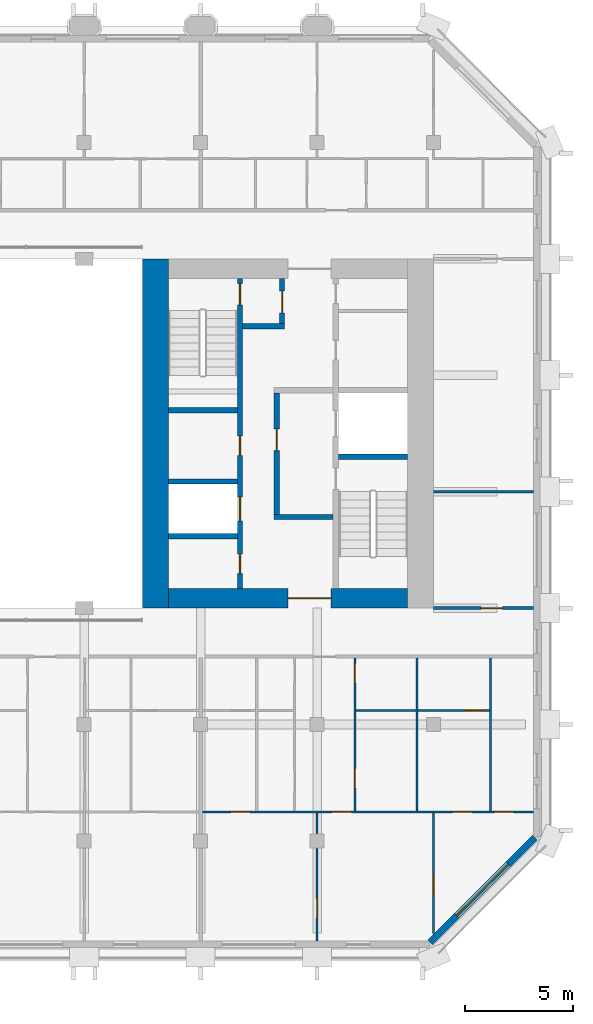
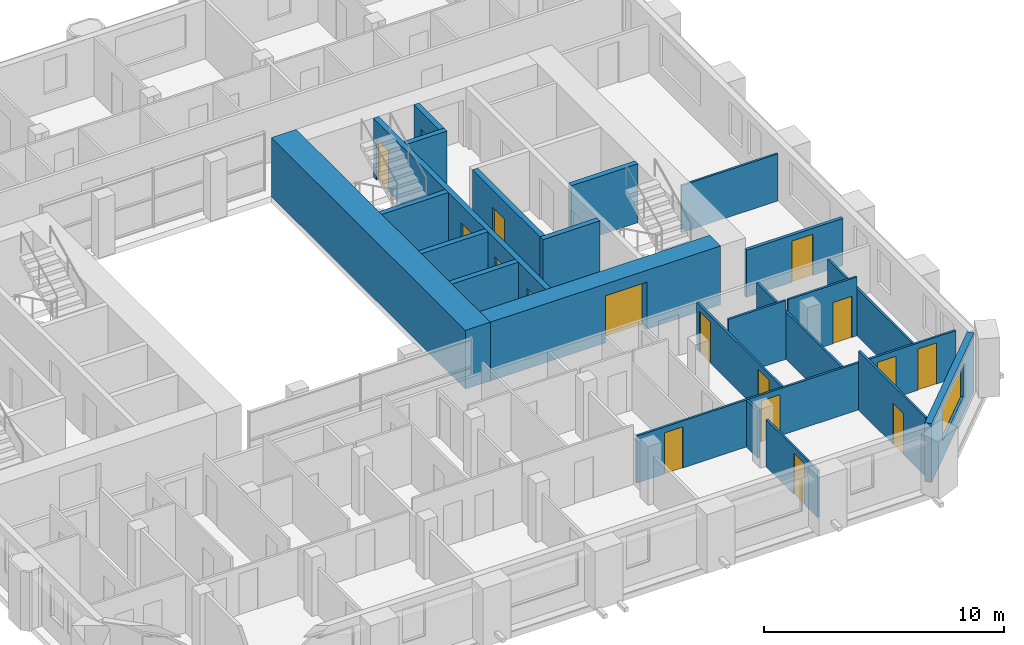
# One storey, part 8 of 13: 23 walls, 17 doors, 1 window, 18 openings.
"""IFC4 building model written with IfcOpenShell, lengths in metres."""

from ifc_helpers import new_model, si_unit, direction, frame, frame_2d, origin, place, context, subcontext, project, spatial, rectangle, extrude, material, layer, layer_set, type_object, element, fill, save


model = new_model("IFC4")

# Units and contexts
model_context = context("Model", 3, precision=1e-05, world=origin(), true_north=direction((0.0, 1.0)))
body_context = subcontext(model_context, "Body", "Model", "MODEL_VIEW")
ifc_project = project(units=[si_unit("LENGTHUNIT", "METRE"), si_unit("AREAUNIT", "SQUARE_METRE"), si_unit("VOLUMEUNIT", "CUBIC_METRE"), si_unit("PLANEANGLEUNIT", "RADIAN"), si_unit("MASSUNIT", "GRAM", prefix="KILO")], contexts=[model_context])

# Site, building, storey
site_placement = place(None, origin())
site = spatial("IfcSite", under=ifc_project, at=site_placement, CompositionType="ELEMENT")
building_placement = place(site_placement, origin())
building = spatial("IfcBuilding", under=site, at=building_placement, Name="Tabaq Tower and Sports Hall", CompositionType="ELEMENT")
storey_placement = place(building_placement, frame((0.0, 0.0, 271.89990234375)))
storey = spatial("IfcBuildingStorey", under=building, at=storey_placement, Name="L66", CompositionType="ELEMENT", Elevation=271.89990234375)

# Wall
ifc_material_1 = material(Name="Concrete C40/50", Category="concrete")
ifc_layer_1 = layer(ifc_material_1, 1.199951171875)
ifc_layer_set_1 = layer_set([ifc_layer_1], Name="Core wall 1200 Concrete C40/50")
wall_type_1 = type_object("IfcWallType", Name="Core wall 1200 Concrete C40/50", PredefinedType="SOLIDWALL", material=ifc_layer_set_1)
wall_1_placement = place(storey_placement, frame((30.300048828125, 16.199951171875, 0.0), z_axis=(0.0, 0.0, 1.0), x_axis=(0.0, 1.0, 0.0)))
element("IfcWall", 1, at=wall_1_placement, inside=storey, type_object=wall_type_1, Name="Core wall E L66", PredefinedType="SOLIDWALL", context=body_context, shape_type="SweptSolid", body=[
    extrude(rectangle(XDim=16.199951171875, YDim=1.199951171875, at=frame_2d((8.10009765625, 0.0))), origin(), (0.0, 0.0, 1.0), 3.0),
])

# Wall, opening, door
ifc_material_2 = material(Name="Concrete C40/50", Category="concrete")
ifc_layer_2 = layer(ifc_material_2, 0.89990234375)
ifc_layer_set_2 = layer_set([ifc_layer_2], Name="Core wall 900 Concrete C40/50")
wall_type_2 = type_object("IfcWallType", Name="Core wall 900 Concrete C40/50", PredefinedType="SOLIDWALL", material=ifc_layer_set_2)
wall_2_placement = place(storey_placement, frame((42.0, 16.64990234375, 0.0), z_axis=(0.0, 0.0, 1.0), x_axis=(-1.0, 0.0, 0.0)))
wall_2 = element("IfcWall", 2, at=wall_2_placement, inside=storey, type_object=wall_type_2, Name="Core wall E L66", PredefinedType="SOLIDWALL", context=body_context, shape_type="SweptSolid", body=[
    extrude(rectangle(XDim=11.10009765625, YDim=0.89990234375, at=frame_2d((5.550048828125, 0.0))), origin(), (0.0, 0.0, 1.0), 3.0),
])
opening_1_placement = place(wall_2_placement, frame((3.550048828125, 0.0, 0.0)))
opening_1 = element("IfcOpeningElement", 3, at=opening_1_placement, cuts=wall_2, Name="Opening PD-EL66-01", PredefinedType="OPENING", context=body_context, shape_type="SweptSolid", body=[
    extrude(rectangle(XDim=2.0, YDim=2.39990234375, at=frame_2d((1.0, 1.199951171875))), frame((0.0, 0.449951171875, 0.0), z_axis=(0.0, -1.0, 0.0), x_axis=(1.0, 0.0, 0.0)), (0.0, 0.0, 1.0), 0.89990234375),
])
ifc_material_3 = material(Name="Steel fire door", Category="steel")
door_type_1 = type_object("IfcDoorType", Name="Core entrance door 2000", OperationType="DOUBLE_DOOR_SINGLE_SWING", PredefinedType="DOOR", material=ifc_material_3)
door_1_placement = place(opening_1_placement, origin())
door_1 = element("IfcDoor", 4, at=door_1_placement, inside=storey, type_object=door_type_1, Name="Core entrance south E L66", OperationType="DOUBLE_DOOR_SINGLE_SWING", OverallHeight=2.39990234375, OverallWidth=2.0, PredefinedType="DOOR", context=body_context, shape_type="SweptSolid", body=[
    extrude(rectangle(XDim=2.0, YDim=2.39990234375, at=frame_2d((1.0, 1.199951171875))), frame((0.0, 0.02490234375, 0.0), z_axis=(0.0, -1.0, 0.0), x_axis=(1.0, 0.0, 0.0)), (0.0, 0.0, 1.0), 0.050048828125),
])
fill(opening_1, door_1)

# Wall
ifc_material_4 = material(Name="Gypsum board on steel studs", Category="steel")
ifc_layer_3 = layer(ifc_material_4, 0.10009765625)
ifc_layer_set_3 = layer_set([ifc_layer_3], Name="Partition 100 Gypsum board")
wall_type_3 = type_object("IfcWallType", Name="Partition 100 Gypsum board", PredefinedType="PARTITIONING", material=ifc_layer_set_3)
wall_3_placement = place(storey_placement, frame((43.199951171875, 21.60009765625, 0.0), z_axis=(0.0, 0.0, 1.0), x_axis=(1.0, 0.0, 0.0)))
element("IfcWall", 5, at=wall_3_placement, inside=storey, type_object=wall_type_3, Name="Partition wall L66", PredefinedType="PARTITIONING", context=body_context, shape_type="SweptSolid", body=[
    extrude(rectangle(XDim=4.649169921875, YDim=0.10009765625, at=frame_2d((2.32470703125, 0.0))), origin(), (0.0, 0.0, 1.0), 2.400146484375),
])

# Wall, opening, door
wall_4_placement = place(storey_placement, frame((37.800048828125, 0.7509765625, 0.0), z_axis=(0.0, 0.0, 1.0), x_axis=(0.0, 1.0, 0.0)))
wall_4 = element("IfcWall", 6, at=wall_4_placement, inside=storey, type_object=wall_type_3, Name="Partition wall L66", PredefinedType="PARTITIONING", context=body_context, shape_type="SweptSolid", body=[
    extrude(rectangle(XDim=4.303955078125, YDim=0.10009765625, at=frame_2d((2.15185546875, 0.0))), origin(), (0.0, 0.0, 1.0), 2.400146484375),
])
opening_2_placement = place(wall_4_placement, frame((1.080078125, 0.0, 0.0)))
opening_2 = element("IfcOpeningElement", 7, at=opening_2_placement, cuts=wall_4, Name="Opening L66-047", PredefinedType="OPENING", context=body_context, shape_type="SweptSolid", body=[
    extrude(rectangle(XDim=0.89990234375, YDim=2.10009765625, at=frame_2d((0.449951171875, 1.050048828125))), frame((0.0, 0.050048828125, 0.0), z_axis=(0.0, -1.0, 0.0), x_axis=(1.0, 0.0, 0.0)), (0.0, 0.0, 1.0), 0.10009765625),
])
ifc_material_5 = material(Name="Timber leaf in steel frame", Category="steel")
door_type_2 = type_object("IfcDoorType", Name="Internal door 900 right hand", OperationType="SINGLE_SWING_RIGHT", PredefinedType="DOOR", material=ifc_material_5)
door_2_placement = place(opening_2_placement, origin())
door_2 = element("IfcDoor", 8, at=door_2_placement, inside=storey, type_object=door_type_2, Name="Internal door L66-047", OperationType="SINGLE_SWING_RIGHT", OverallHeight=2.10009765625, OverallWidth=0.89990234375, PredefinedType="DOOR", context=body_context, shape_type="SweptSolid", body=[
    extrude(rectangle(XDim=0.89990234375, YDim=2.10009765625, at=frame_2d((0.449951171875, 1.050048828125))), frame((0.0, 0.02490234375, 0.0), z_axis=(0.0, -1.0, 0.0), x_axis=(1.0, 0.0, 0.0)), (0.0, 0.0, 1.0), 0.050048828125),
])
fill(opening_2, door_2)

# Wall
wall_5_placement = place(storey_placement, frame((37.800048828125, 5.7451171875, 0.0), z_axis=(0.0, 0.0, 1.0), x_axis=(0.0, 1.0, 0.0)))
element("IfcWall", 9, at=wall_5_placement, inside=storey, type_object=wall_type_3, Name="Partition wall L66", PredefinedType="PARTITIONING", context=body_context, shape_type="SweptSolid", body=[
    extrude(rectangle(XDim=0.954833984375, YDim=0.10009765625, at=frame_2d((0.4775390625, 0.0))), origin(), (0.0, 0.0, 1.0), 2.400146484375),
])

# Wall, openings, doors
wall_6_placement = place(storey_placement, frame((47.84912109375, 6.75, 0.0), z_axis=(0.0, 0.0, 1.0), x_axis=(-1.0, 0.0, 0.0)))
wall_6 = element("IfcWall", 10, at=wall_6_placement, inside=storey, type_object=wall_type_3, Name="Partition wall L66", PredefinedType="PARTITIONING", context=body_context, shape_type="SweptSolid", body=[
    extrude(rectangle(XDim=15.3740234375, YDim=0.10009765625, at=frame_2d((7.68701171875, 0.0))), origin(), (0.0, 0.0, 1.0), 2.400146484375),
])
opening_3_placement = place(wall_6_placement, frame((0.928955078125, 0.0, 0.0)))
opening_3 = element("IfcOpeningElement", 11, at=opening_3_placement, cuts=wall_6, Name="Opening L66-023", PredefinedType="OPENING", context=body_context, shape_type="SweptSolid", body=[
    extrude(rectangle(XDim=0.89990234375, YDim=2.10009765625, at=frame_2d((0.449951171875, 1.050048828125))), frame((0.0, 0.050048828125, 0.0), z_axis=(0.0, -1.0, 0.0), x_axis=(1.0, 0.0, 0.0)), (0.0, 0.0, 1.0), 0.10009765625),
])
opening_4_placement = place(wall_6_placement, frame((13.14892578125, 0.0, 0.0)))
opening_4 = element("IfcOpeningElement", 12, at=opening_4_placement, cuts=wall_6, Name="Opening L66-048", PredefinedType="OPENING", context=body_context, shape_type="SweptSolid", body=[
    extrude(rectangle(XDim=0.89990234375, YDim=2.10009765625, at=frame_2d((0.449951171875, 1.050048828125))), frame((0.0, 0.050048828125, 0.0), z_axis=(0.0, -1.0, 0.0), x_axis=(1.0, 0.0, 0.0)), (0.0, 0.0, 1.0), 0.10009765625),
])
opening_5_placement = place(wall_6_placement, frame((2.8740234375, 0.0, 0.0)))
opening_5 = element("IfcOpeningElement", 13, at=opening_5_placement, cuts=wall_6, Name="Opening L66-049", PredefinedType="OPENING", context=body_context, shape_type="SweptSolid", body=[
    extrude(rectangle(XDim=0.89990234375, YDim=2.10009765625, at=frame_2d((0.449951171875, 1.050048828125))), frame((0.0, 0.050048828125, 0.0), z_axis=(0.0, -1.0, 0.0), x_axis=(1.0, 0.0, 0.0)), (0.0, 0.0, 1.0), 0.10009765625),
])
opening_6_placement = place(wall_6_placement, frame((8.462890625, 0.0, 0.0)))
opening_6 = element("IfcOpeningElement", 14, at=opening_6_placement, cuts=wall_6, Name="Opening L66-058", PredefinedType="OPENING", context=body_context, shape_type="SweptSolid", body=[
    extrude(rectangle(XDim=0.89990234375, YDim=2.10009765625, at=frame_2d((0.449951171875, 1.050048828125))), frame((0.0, 0.050048828125, 0.0), z_axis=(0.0, -1.0, 0.0), x_axis=(1.0, 0.0, 0.0)), (0.0, 0.0, 1.0), 0.10009765625),
])
ifc_material_6 = material(Name="Timber leaf in steel frame", Category="steel")
door_type_3 = type_object("IfcDoorType", Name="Internal door 900 left hand", OperationType="SINGLE_SWING_LEFT", PredefinedType="DOOR", material=ifc_material_6)
door_3_placement = place(opening_3_placement, origin())
door_3 = element("IfcDoor", 15, at=door_3_placement, inside=storey, type_object=door_type_3, Name="Internal door L66-023", OperationType="SINGLE_SWING_LEFT", OverallHeight=2.10009765625, OverallWidth=0.89990234375, PredefinedType="DOOR", context=body_context, shape_type="SweptSolid", body=[
    extrude(rectangle(XDim=0.89990234375, YDim=2.10009765625, at=frame_2d((0.449951171875, 1.050048828125))), frame((0.0, 0.02490234375, 0.0), z_axis=(0.0, -1.0, 0.0), x_axis=(1.0, 0.0, 0.0)), (0.0, 0.0, 1.0), 0.050048828125),
])
fill(opening_3, door_3)
door_4_placement = place(opening_4_placement, origin())
door_4 = element("IfcDoor", 16, at=door_4_placement, inside=storey, type_object=door_type_3, Name="Internal door L66-048", OperationType="SINGLE_SWING_LEFT", OverallHeight=2.10009765625, OverallWidth=0.89990234375, PredefinedType="DOOR", context=body_context, shape_type="SweptSolid", body=[
    extrude(rectangle(XDim=0.89990234375, YDim=2.10009765625, at=frame_2d((0.449951171875, 1.050048828125))), frame((0.0, 0.02490234375, 0.0), z_axis=(0.0, -1.0, 0.0), x_axis=(1.0, 0.0, 0.0)), (0.0, 0.0, 1.0), 0.050048828125),
])
fill(opening_4, door_4)
door_5_placement = place(opening_6_placement, origin())
door_5 = element("IfcDoor", 17, at=door_5_placement, inside=storey, type_object=door_type_3, Name="Internal door L66-058", OperationType="SINGLE_SWING_LEFT", OverallHeight=2.10009765625, OverallWidth=0.89990234375, PredefinedType="DOOR", context=body_context, shape_type="SweptSolid", body=[
    extrude(rectangle(XDim=0.89990234375, YDim=2.10009765625, at=frame_2d((0.449951171875, 1.050048828125))), frame((0.0, 0.02490234375, 0.0), z_axis=(0.0, -1.0, 0.0), x_axis=(1.0, 0.0, 0.0)), (0.0, 0.0, 1.0), 0.050048828125),
])
fill(opening_6, door_5)
door_6_placement = place(opening_5_placement, origin())
door_6 = element("IfcDoor", 18, at=door_6_placement, inside=storey, type_object=door_type_2, Name="Internal door L66-049", OperationType="SINGLE_SWING_RIGHT", OverallHeight=2.10009765625, OverallWidth=0.89990234375, PredefinedType="DOOR", context=body_context, shape_type="SweptSolid", body=[
    extrude(rectangle(XDim=0.89990234375, YDim=2.10009765625, at=frame_2d((0.449951171875, 1.050048828125))), frame((0.0, 0.02490234375, 0.0), z_axis=(0.0, -1.0, 0.0), x_axis=(1.0, 0.0, 0.0)), (0.0, 0.0, 1.0), 0.050048828125),
])
fill(opening_5, door_6)

# Wall, opening, door
wall_7_placement = place(storey_placement, frame((43.199951171875, 1.112060546875, 0.0), z_axis=(0.0, 0.0, 1.0), x_axis=(0.0, 1.0, 0.0)))
wall_7 = element("IfcWall", 19, at=wall_7_placement, inside=storey, type_object=wall_type_3, Name="Partition wall L66", PredefinedType="PARTITIONING", context=body_context, shape_type="SweptSolid", body=[
    extrude(rectangle(XDim=5.587890625, YDim=0.10009765625, at=frame_2d((2.7939453125, 0.0))), origin(), (0.0, 0.0, 1.0), 3.0),
])
opening_7_placement = place(wall_7_placement, frame((1.81298828125, 0.0, 0.0)))
opening_7 = element("IfcOpeningElement", 20, at=opening_7_placement, cuts=wall_7, Name="Opening L66-057", PredefinedType="OPENING", context=body_context, shape_type="SweptSolid", body=[
    extrude(rectangle(XDim=0.89990234375, YDim=2.10009765625, at=frame_2d((0.449951171875, 1.050048828125))), frame((0.0, 0.050048828125, 0.0), z_axis=(0.0, -1.0, 0.0), x_axis=(1.0, 0.0, 0.0)), (0.0, 0.0, 1.0), 0.10009765625),
])
door_7_placement = place(opening_7_placement, origin())
door_7 = element("IfcDoor", 21, at=door_7_placement, inside=storey, type_object=door_type_3, Name="Internal door L66-057", OperationType="SINGLE_SWING_LEFT", OverallHeight=2.10009765625, OverallWidth=0.89990234375, PredefinedType="DOOR", context=body_context, shape_type="SweptSolid", body=[
    extrude(rectangle(XDim=0.89990234375, YDim=2.10009765625, at=frame_2d((0.449951171875, 1.050048828125))), frame((0.0, 0.02490234375, 0.0), z_axis=(0.0, -1.0, 0.0), x_axis=(1.0, 0.0, 0.0)), (0.0, 0.0, 1.0), 0.050048828125),
])
fill(opening_7, door_7)

# Wall, openings, doors
wall_8_placement = place(storey_placement, frame((39.555908203125, 6.800048828125, 0.0), z_axis=(0.0, 0.0, 1.0), x_axis=(0.0, 1.0, 0.0)))
wall_8 = element("IfcWall", 22, at=wall_8_placement, inside=storey, type_object=wall_type_3, Name="Partition wall L66", PredefinedType="PARTITIONING", context=body_context, shape_type="SweptSolid", body=[
    extrude(rectangle(XDim=7.074951171875, YDim=0.10009765625, at=frame_2d((3.53759765625, 0.0))), origin(), (0.0, 0.0, 1.0), 2.400146484375),
])
opening_8_placement = place(wall_8_placement, frame((1.050048828125, 0.0, 0.0)))
opening_8 = element("IfcOpeningElement", 23, at=opening_8_placement, cuts=wall_8, Name="Opening L66-027", PredefinedType="OPENING", context=body_context, shape_type="SweptSolid", body=[
    extrude(rectangle(XDim=0.89990234375, YDim=2.10009765625, at=frame_2d((0.449951171875, 1.050048828125))), frame((0.0, 0.050048828125, 0.0), z_axis=(0.0, -1.0, 0.0), x_axis=(1.0, 0.0, 0.0)), (0.0, 0.0, 1.0), 0.10009765625),
])
opening_9_placement = place(wall_8_placement, frame((5.925048828125, 0.0, 0.0)))
opening_9 = element("IfcOpeningElement", 24, at=opening_9_placement, cuts=wall_8, Name="Opening L66-028", PredefinedType="OPENING", context=body_context, shape_type="SweptSolid", body=[
    extrude(rectangle(XDim=0.89990234375, YDim=2.10009765625, at=frame_2d((0.449951171875, 1.050048828125))), frame((0.0, 0.050048828125, 0.0), z_axis=(0.0, -1.0, 0.0), x_axis=(1.0, 0.0, 0.0)), (0.0, 0.0, 1.0), 0.10009765625),
])
door_8_placement = place(opening_8_placement, origin())
door_8 = element("IfcDoor", 25, at=door_8_placement, inside=storey, type_object=door_type_3, Name="Internal door L66-027", OperationType="SINGLE_SWING_LEFT", OverallHeight=2.10009765625, OverallWidth=0.89990234375, PredefinedType="DOOR", context=body_context, shape_type="SweptSolid", body=[
    extrude(rectangle(XDim=0.89990234375, YDim=2.10009765625, at=frame_2d((0.449951171875, 1.050048828125))), frame((0.0, 0.02490234375, 0.0), z_axis=(0.0, -1.0, 0.0), x_axis=(1.0, 0.0, 0.0)), (0.0, 0.0, 1.0), 0.050048828125),
])
fill(opening_8, door_8)
door_9_placement = place(opening_9_placement, origin())
door_9 = element("IfcDoor", 26, at=door_9_placement, inside=storey, type_object=door_type_3, Name="Internal door L66-028", OperationType="SINGLE_SWING_LEFT", OverallHeight=2.10009765625, OverallWidth=0.89990234375, PredefinedType="DOOR", context=body_context, shape_type="SweptSolid", body=[
    extrude(rectangle(XDim=0.89990234375, YDim=2.10009765625, at=frame_2d((0.449951171875, 1.050048828125))), frame((0.0, 0.02490234375, 0.0), z_axis=(0.0, -1.0, 0.0), x_axis=(1.0, 0.0, 0.0)), (0.0, 0.0, 1.0), 0.050048828125),
])
fill(opening_9, door_9)

# Walls
wall_9_placement = place(storey_placement, frame((42.385009765625, 11.449951171875, 0.0), z_axis=(0.0, 0.0, 1.0), x_axis=(-1.0, 0.0, 0.0)))
element("IfcWall", 27, at=wall_9_placement, inside=storey, type_object=wall_type_3, Name="Partition wall L66", PredefinedType="PARTITIONING", context=body_context, shape_type="SweptSolid", body=[
    extrude(rectangle(XDim=2.779052734375, YDim=0.10009765625, at=frame_2d((1.3896484375, 0.0))), origin(), (0.0, 0.0, 1.0), 3.0),
])
wall_10_placement = place(storey_placement, frame((42.43505859375, 6.800048828125, 0.0), z_axis=(0.0, 0.0, 1.0), x_axis=(0.0, 1.0, 0.0)))
element("IfcWall", 28, at=wall_10_placement, inside=storey, type_object=wall_type_3, Name="Partition wall L66", PredefinedType="PARTITIONING", context=body_context, shape_type="SweptSolid", body=[
    extrude(rectangle(XDim=7.074951171875, YDim=0.10009765625, at=frame_2d((3.53759765625, 0.0))), origin(), (0.0, 0.0, 1.0), 2.400146484375),
])

# Wall, opening, door
wall_11_placement = place(storey_placement, frame((45.800048828125, 11.449951171875, 0.0), z_axis=(0.0, 0.0, 1.0), x_axis=(-1.0, 0.0, 0.0)))
wall_11 = element("IfcWall", 29, at=wall_11_placement, inside=storey, type_object=wall_type_3, Name="Partition wall L66", PredefinedType="PARTITIONING", context=body_context, shape_type="SweptSolid", body=[
    extrude(rectangle(XDim=3.31494140625, YDim=0.10009765625, at=frame_2d((1.657470703125, 0.0))), origin(), (0.0, 0.0, 1.0), 3.0),
])
opening_10_placement = place(wall_11_placement, frame((0.25, 0.0, 0.0)))
opening_10 = element("IfcOpeningElement", 30, at=opening_10_placement, cuts=wall_11, Name="Opening L66-029", PredefinedType="OPENING", context=body_context, shape_type="SweptSolid", body=[
    extrude(rectangle(XDim=0.89990234375, YDim=2.10009765625, at=frame_2d((0.449951171875, 1.050048828125))), frame((0.0, 0.050048828125, 0.0), z_axis=(0.0, -1.0, 0.0), x_axis=(1.0, 0.0, 0.0)), (0.0, 0.0, 1.0), 0.10009765625),
])
door_10_placement = place(opening_10_placement, origin())
door_10 = element("IfcDoor", 31, at=door_10_placement, inside=storey, type_object=door_type_3, Name="Internal door L66-029", OperationType="SINGLE_SWING_LEFT", OverallHeight=2.10009765625, OverallWidth=0.89990234375, PredefinedType="DOOR", context=body_context, shape_type="SweptSolid", body=[
    extrude(rectangle(XDim=0.89990234375, YDim=2.10009765625, at=frame_2d((0.449951171875, 1.050048828125))), frame((0.0, 0.02490234375, 0.0), z_axis=(0.0, -1.0, 0.0), x_axis=(1.0, 0.0, 0.0)), (0.0, 0.0, 1.0), 0.050048828125),
])
fill(opening_10, door_10)

# Wall
wall_12_placement = place(storey_placement, frame((45.85009765625, 6.800048828125, 0.0), z_axis=(0.0, 0.0, 1.0), x_axis=(0.0, 1.0, 0.0)))
element("IfcWall", 32, at=wall_12_placement, inside=storey, type_object=wall_type_3, Name="Partition wall L66", PredefinedType="PARTITIONING", context=body_context, shape_type="SweptSolid", body=[
    extrude(rectangle(XDim=7.074951171875, YDim=0.10009765625, at=frame_2d((3.53759765625, 0.0))), origin(), (0.0, 0.0, 1.0), 2.400146484375),
])

# Wall, opening, door
ifc_material_7 = material(Name="Blockwork", Category="masonry")
ifc_layer_4 = layer(ifc_material_7, 0.14990234375)
ifc_layer_set_4 = layer_set([ifc_layer_4], Name="Separating wall 150 Blockwork")
wall_type_4 = type_object("IfcWallType", Name="Separating wall 150 Blockwork", PredefinedType="PARTITIONING", material=ifc_layer_set_4)
wall_13_placement = place(storey_placement, frame((43.199951171875, 16.199951171875, 0.0), z_axis=(0.0, 0.0, 1.0), x_axis=(1.0, 0.0, 0.0)))
wall_13 = element("IfcWall", 33, at=wall_13_placement, inside=storey, type_object=wall_type_4, Name="Separating wall L66", PredefinedType="PARTITIONING", context=body_context, shape_type="SweptSolid", body=[
    extrude(rectangle(XDim=4.649169921875, YDim=0.14990234375, at=frame_2d((2.32470703125, 0.0))), origin(), (0.0, 0.0, 1.0), 2.400146484375),
])
opening_11_placement = place(wall_13_placement, frame((2.199951171875, 0.0, 0.0)))
opening_11 = element("IfcOpeningElement", 34, at=opening_11_placement, cuts=wall_13, Name="Opening L66-030", PredefinedType="OPENING", context=body_context, shape_type="SweptSolid", body=[
    extrude(rectangle(XDim=1.0, YDim=2.10009765625, at=frame_2d((0.5, 1.050048828125))), frame((0.0, 0.074951171875, 0.0), z_axis=(0.0, -1.0, 0.0), x_axis=(1.0, 0.0, 0.0)), (0.0, 0.0, 1.0), 0.14990234375),
])
ifc_material_8 = material(Name="Timber leaf in steel frame", Category="steel")
door_type_4 = type_object("IfcDoorType", Name="Internal door 1000 left hand", OperationType="SINGLE_SWING_LEFT", PredefinedType="DOOR", material=ifc_material_8)
door_11_placement = place(opening_11_placement, origin())
door_11 = element("IfcDoor", 35, at=door_11_placement, inside=storey, type_object=door_type_4, Name="Internal door L66-030", OperationType="SINGLE_SWING_LEFT", OverallHeight=2.10009765625, OverallWidth=1.0, PredefinedType="DOOR", context=body_context, shape_type="SweptSolid", body=[
    extrude(rectangle(XDim=1.0, YDim=2.10009765625, at=frame_2d((0.5, 1.050048828125))), frame((0.0, 0.02490234375, 0.0), z_axis=(0.0, -1.0, 0.0), x_axis=(1.0, 0.0, 0.0)), (0.0, 0.0, 1.0), 0.050048828125),
])
fill(opening_11, door_11)

# Wall, openings, doors
ifc_material_9 = material(Name="Concrete C40/50", Category="concrete")
ifc_layer_5 = layer(ifc_material_9, 0.25)
ifc_layer_set_5 = layer_set([ifc_layer_5], Name="Shaft and stair wall 250 Concrete C40/50")
wall_type_5 = type_object("IfcWallType", Name="Shaft and stair wall 250 Concrete C40/50", PredefinedType="SOLIDWALL", material=ifc_layer_set_5)
wall_14_placement = place(storey_placement, frame((34.22509765625, 17.10009765625, 0.0), z_axis=(0.0, 0.0, 1.0), x_axis=(0.0, 1.0, 0.0)))
wall_14 = element("IfcWall", 36, at=wall_14_placement, inside=storey, type_object=wall_type_5, Name="Shaft wall E L66", PredefinedType="SOLIDWALL", context=body_context, shape_type="SweptSolid", body=[
    extrude(rectangle(XDim=14.39990234375, YDim=0.25, at=frame_2d((7.199951171875, 0.0))), origin(), (0.0, 0.0, 1.0), 3.0),
])
opening_12_placement = place(wall_14_placement, frame((13.14990234375, 0.0, 0.0)))
opening_12 = element("IfcOpeningElement", 37, at=opening_12_placement, cuts=wall_14, Name="Opening SD-EL66-05", PredefinedType="OPENING", context=body_context, shape_type="SweptSolid", body=[
    extrude(rectangle(XDim=1.0, YDim=2.10009765625, at=frame_2d((0.5, 1.050048828125))), frame((0.0, 0.125, 0.0), z_axis=(0.0, -1.0, 0.0), x_axis=(1.0, 0.0, 0.0)), (0.0, 0.0, 1.0), 0.25),
])
opening_13_placement = place(wall_14_placement, frame((3.14990234375, 0.0, 0.0)))
opening_13 = element("IfcOpeningElement", 38, at=opening_13_placement, cuts=wall_14, Name="Opening LD-HR2-L66", PredefinedType="OPENING", context=body_context, shape_type="SweptSolid", body=[
    extrude(rectangle(XDim=1.10009765625, YDim=2.10009765625, at=frame_2d((0.550048828125, 1.050048828125))), frame((0.0, 0.125, 0.0), z_axis=(0.0, -1.0, 0.0), x_axis=(1.0, 0.0, 0.0)), (0.0, 0.0, 1.0), 0.25),
])
opening_14_placement = place(wall_14_placement, frame((0.699951171875, 0.0, 0.0)))
opening_14 = element("IfcOpeningElement", 39, at=opening_14_placement, cuts=wall_14, Name="Opening RD-EL66-11", PredefinedType="OPENING", context=body_context, shape_type="SweptSolid", body=[
    extrude(rectangle(XDim=0.89990234375, YDim=2.10009765625, at=frame_2d((0.449951171875, 1.050048828125))), frame((0.0, 0.125, 0.0), z_axis=(0.0, -1.0, 0.0), x_axis=(1.0, 0.0, 0.0)), (0.0, 0.0, 1.0), 0.25),
])
opening_15_placement = place(wall_14_placement, frame((6.175048828125, 0.0, 0.0)))
opening_15 = element("IfcOpeningElement", 40, at=opening_15_placement, cuts=wall_14, Name="Opening RD-EL66-12", PredefinedType="OPENING", context=body_context, shape_type="SweptSolid", body=[
    extrude(rectangle(XDim=0.89990234375, YDim=2.10009765625, at=frame_2d((0.449951171875, 1.050048828125))), frame((0.0, 0.125, 0.0), z_axis=(0.0, -1.0, 0.0), x_axis=(1.0, 0.0, 0.0)), (0.0, 0.0, 1.0), 0.25),
])
ifc_material_10 = material(Name="Steel fire door", Category="steel")
door_type_5 = type_object("IfcDoorType", Name="Core room door 900", OperationType="SINGLE_SWING_LEFT", PredefinedType="DOOR", material=ifc_material_10)
door_12_placement = place(opening_14_placement, origin())
door_12 = element("IfcDoor", 41, at=door_12_placement, inside=storey, type_object=door_type_5, Name="Door Electrical Riser Room E L66", OperationType="SINGLE_SWING_LEFT", OverallHeight=2.10009765625, OverallWidth=0.89990234375, PredefinedType="DOOR", context=body_context, shape_type="SweptSolid", body=[
    extrude(rectangle(XDim=0.89990234375, YDim=2.10009765625, at=frame_2d((0.449951171875, 1.050048828125))), frame((0.0, 0.02490234375, 0.0), z_axis=(0.0, -1.0, 0.0), x_axis=(1.0, 0.0, 0.0)), (0.0, 0.0, 1.0), 0.050048828125),
])
fill(opening_14, door_12)
door_13_placement = place(opening_15_placement, origin())
door_13 = element("IfcDoor", 42, at=door_13_placement, inside=storey, type_object=door_type_5, Name="Door Riser Room E L66", OperationType="SINGLE_SWING_LEFT", OverallHeight=2.10009765625, OverallWidth=0.89990234375, PredefinedType="DOOR", context=body_context, shape_type="SweptSolid", body=[
    extrude(rectangle(XDim=0.89990234375, YDim=2.10009765625, at=frame_2d((0.449951171875, 1.050048828125))), frame((0.0, 0.02490234375, 0.0), z_axis=(0.0, -1.0, 0.0), x_axis=(1.0, 0.0, 0.0)), (0.0, 0.0, 1.0), 0.050048828125),
])
fill(opening_15, door_13)
ifc_material_11 = material(Name="Stainless steel", Category="steel")
door_type_6 = type_object("IfcDoorType", Name="Lift landing door 1100", OperationType="DOUBLE_DOOR_SLIDING", PredefinedType="DOOR", material=ifc_material_11)
door_14_placement = place(opening_13_placement, origin())
door_14 = element("IfcDoor", 43, at=door_14_placement, inside=storey, type_object=door_type_6, Name="Lift landing door HR2 E L66", OperationType="DOUBLE_DOOR_SLIDING", OverallHeight=2.10009765625, OverallWidth=1.10009765625, PredefinedType="DOOR", context=body_context, shape_type="SweptSolid", body=[
    extrude(rectangle(XDim=1.10009765625, YDim=2.10009765625, at=frame_2d((0.550048828125, 1.050048828125))), frame((0.0, 0.02490234375, 0.0), z_axis=(0.0, -1.0, 0.0), x_axis=(1.0, 0.0, 0.0)), (0.0, 0.0, 1.0), 0.050048828125),
])
fill(opening_13, door_14)
ifc_material_12 = material(Name="Steel fire door", Category="steel")
door_type_7 = type_object("IfcDoorType", Name="Stair door 1000", OperationType="SINGLE_SWING_LEFT", PredefinedType="DOOR", material=ifc_material_12)
door_15_placement = place(opening_12_placement, origin())
door_15 = element("IfcDoor", 44, at=door_15_placement, inside=storey, type_object=door_type_7, Name="Stair door ST4 E L66", OperationType="SINGLE_SWING_LEFT", OverallHeight=2.10009765625, OverallWidth=1.0, PredefinedType="DOOR", context=body_context, shape_type="SweptSolid", body=[
    extrude(rectangle(XDim=1.0, YDim=2.10009765625, at=frame_2d((0.5, 1.050048828125))), frame((0.0, 0.02490234375, 0.0), z_axis=(0.0, -1.0, 0.0), x_axis=(1.0, 0.0, 0.0)), (0.0, 0.0, 1.0), 0.050048828125),
])
fill(opening_12, door_15)

# Walls
wall_15_placement = place(storey_placement, frame((38.800048828125, 23.22509765625, 0.0), z_axis=(0.0, 0.0, 1.0), x_axis=(1.0, 0.0, 0.0)))
element("IfcWall", 45, at=wall_15_placement, inside=storey, type_object=wall_type_5, Name="Stair enclosure wall E L66", PredefinedType="SOLIDWALL", context=body_context, shape_type="SweptSolid", body=[
    extrude(rectangle(XDim=3.199951171875, YDim=0.25, at=frame_2d((1.60009765625, 0.0))), origin(), (0.0, 0.0, 1.0), 3.0),
])
for number, where, z_axis, x_axis, name in (
    (46, (30.89990234375, 25.375, 0.0), (0.0, 0.0, 1.0), (1.0, 0.0, 0.0), "Stair enclosure wall E L66"),
    (47, (30.89990234375, 22.074951171875, 0.0), (0.0, 0.0, 1.0), (1.0, 0.0, 0.0), "Shaft wall E L66"),
):
    element("IfcWall", number, at=place(storey_placement, frame(where, z_axis=z_axis, x_axis=x_axis)), inside=storey, type_object=wall_type_5, Name=name, PredefinedType="SOLIDWALL", context=body_context, shape_type="SweptSolid", body=[
        extrude(rectangle(XDim=3.2001953125, YDim=0.25, at=frame_2d((1.60009765625, 0.0))), origin(), (0.0, 0.0, 1.0), 3.0),
    ])
wall_16_placement = place(storey_placement, frame((35.800048828125, 20.425048828125, 0.0), z_axis=(0.0, 0.0, 1.0), x_axis=(1.0, 0.0, 0.0)))
element("IfcWall", 48, at=wall_16_placement, inside=storey, type_object=wall_type_5, Name="Fire-fighting lobby wall E L66", PredefinedType="SOLIDWALL", context=body_context, shape_type="SweptSolid", body=[
    extrude(rectangle(XDim=2.75, YDim=0.25, at=frame_2d((1.375, 0.0))), origin(), (0.0, 0.0, 1.0), 3.0),
])

# Wall, opening, door
wall_17_placement = place(storey_placement, frame((36.175048828125, 29.39990234375, 0.0), z_axis=(0.0, 0.0, 1.0), x_axis=(0.0, 1.0, 0.0)))
wall_17 = element("IfcWall", 49, at=wall_17_placement, inside=storey, type_object=wall_type_5, Name="Fire-fighting lobby wall E L66", PredefinedType="SOLIDWALL", context=body_context, shape_type="SweptSolid", body=[
    extrude(rectangle(XDim=2.10009765625, YDim=0.25, at=frame_2d((1.050048828125, 0.0))), origin(), (0.0, 0.0, 1.0), 3.0),
])
opening_16_placement = place(wall_17_placement, frame((0.5, 0.0, 0.0)))
opening_16 = element("IfcOpeningElement", 50, at=opening_16_placement, cuts=wall_17, Name="Opening FD-EL66-06", PredefinedType="OPENING", context=body_context, shape_type="SweptSolid", body=[
    extrude(rectangle(XDim=1.0, YDim=2.10009765625, at=frame_2d((0.5, 1.050048828125))), frame((0.0, 0.125, 0.0), z_axis=(0.0, -1.0, 0.0), x_axis=(1.0, 0.0, 0.0)), (0.0, 0.0, 1.0), 0.25),
])
ifc_material_13 = material(Name="Steel fire door", Category="steel")
door_type_8 = type_object("IfcDoorType", Name="Fire-fighting lobby door 1000", OperationType="SINGLE_SWING_LEFT", PredefinedType="DOOR", material=ifc_material_13)
door_16_placement = place(opening_16_placement, origin())
door_16 = element("IfcDoor", 51, at=door_16_placement, inside=storey, type_object=door_type_8, Name="Stair lobby door E L66", OperationType="SINGLE_SWING_LEFT", OverallHeight=2.10009765625, OverallWidth=1.0, PredefinedType="DOOR", context=body_context, shape_type="SweptSolid", body=[
    extrude(rectangle(XDim=1.0, YDim=2.10009765625, at=frame_2d((0.5, 1.050048828125))), frame((0.0, 0.02490234375, 0.0), z_axis=(0.0, -1.0, 0.0), x_axis=(1.0, 0.0, 0.0)), (0.0, 0.0, 1.0), 0.050048828125),
])
fill(opening_16, door_16)

# Wall
wall_18_placement = place(storey_placement, frame((34.35009765625, 29.27490234375, 0.0), z_axis=(0.0, 0.0, 1.0), x_axis=(1.0, 0.0, 0.0)))
element("IfcWall", 52, at=wall_18_placement, inside=storey, type_object=wall_type_5, Name="Fire-fighting lobby wall E L66", PredefinedType="SOLIDWALL", context=body_context, shape_type="SweptSolid", body=[
    extrude(rectangle(XDim=1.949951171875, YDim=0.25, at=frame_2d((0.97509765625, 0.0))), origin(), (0.0, 0.0, 1.0), 3.0),
])

# Wall, opening, door
wall_19_placement = place(storey_placement, frame((35.925048828125, 20.550048828125, 0.0), z_axis=(0.0, 0.0, 1.0), x_axis=(0.0, 1.0, 0.0)))
wall_19 = element("IfcWall", 53, at=wall_19_placement, inside=storey, type_object=wall_type_5, Name="Fire-fighting lobby wall E L66", PredefinedType="SOLIDWALL", context=body_context, shape_type="SweptSolid", body=[
    extrude(rectangle(XDim=5.625, YDim=0.25, at=frame_2d((2.8125, 0.0))), origin(), (0.0, 0.0, 1.0), 3.0),
])
opening_17_placement = place(wall_19_placement, frame((2.949951171875, 0.0, 0.0)))
opening_17 = element("IfcOpeningElement", 54, at=opening_17_placement, cuts=wall_19, Name="Opening FD-EL66-04", PredefinedType="OPENING", context=body_context, shape_type="SweptSolid", body=[
    extrude(rectangle(XDim=1.0, YDim=2.10009765625, at=frame_2d((0.5, 1.050048828125))), frame((0.0, 0.125, 0.0), z_axis=(0.0, -1.0, 0.0), x_axis=(1.0, 0.0, 0.0)), (0.0, 0.0, 1.0), 0.25),
])
door_17_placement = place(opening_17_placement, origin())
door_17 = element("IfcDoor", 55, at=door_17_placement, inside=storey, type_object=door_type_8, Name="Fire-fighting lobby door E L66", OperationType="SINGLE_SWING_LEFT", OverallHeight=2.10009765625, OverallWidth=1.0, PredefinedType="DOOR", context=body_context, shape_type="SweptSolid", body=[
    extrude(rectangle(XDim=1.0, YDim=2.10009765625, at=frame_2d((0.5, 1.050048828125))), frame((0.0, 0.02490234375, 0.0), z_axis=(0.0, -1.0, 0.0), x_axis=(1.0, 0.0, 0.0)), (0.0, 0.0, 1.0), 0.050048828125),
])
fill(opening_17, door_17)

# Wall
wall_20_placement = place(storey_placement, frame((30.89990234375, 19.52490234375, 0.0), z_axis=(0.0, 0.0, 1.0), x_axis=(1.0, 0.0, 0.0)))
element("IfcWall", 56, at=wall_20_placement, inside=storey, type_object=wall_type_5, Name="Shaft wall E L66", PredefinedType="SOLIDWALL", context=body_context, shape_type="SweptSolid", body=[
    extrude(rectangle(XDim=3.2001953125, YDim=0.25, at=frame_2d((1.60009765625, 0.0))), origin(), (0.0, 0.0, 1.0), 3.0),
])

# Wall, opening, window
ifc_material_14 = material(Name="White precast concrete C60/75", Category="concrete")
ifc_layer_6 = layer(ifc_material_14, 0.300048828125)
ifc_layer_set_6 = layer_set([ifc_layer_6], Name="White precast concrete C60/75 external wall 300")
wall_type_6 = type_object("IfcWallType", Name="White precast concrete C60/75 external wall 300", PredefinedType="SOLIDWALL", material=ifc_layer_set_6)
wall_21_placement = place(storey_placement, frame((43.050537109375, 0.698974609375, 0.0), z_axis=(0.0, 0.0, 1.0), x_axis=(0.707106781187, 0.707106781187, 0.0)))
wall_21 = element("IfcWall", 57, at=wall_21_placement, inside=storey, type_object=wall_type_6, Name="External Wall L66 SE", PredefinedType="SOLIDWALL", context=body_context, shape_type="SweptSolid", body=[
    extrude(rectangle(XDim=6.85986328125, YDim=0.300048828125, at=frame_2d((3.429931640625, 0.0))), origin(), (0.0, 0.0, 1.0), 3.0),
])
opening_18_placement = place(wall_21_placement, frame((1.729736328125, 0.0, 0.89990234375)))
opening_18 = element("IfcOpeningElement", 58, at=opening_18_placement, cuts=wall_21, Name="Opening W1A", PredefinedType="OPENING", context=body_context, shape_type="SweptSolid", body=[
    extrude(rectangle(XDim=3.39990234375, YDim=1.699951171875, at=frame_2d((1.699951171875, 0.85009765625))), frame((0.0, 0.16015625, 0.0), z_axis=(0.0, -1.0, 0.0), x_axis=(1.0, 0.0, 0.0)), (0.0, 0.0, 1.0), 0.320068359375),
])
ifc_material_15 = material(Name="Aluminium framed clear glazing", Category="aluminium")
window_type = type_object("IfcWindowType", Name="Window W1A", PartitioningType="SINGLE_PANEL", PredefinedType="WINDOW", material=ifc_material_15)
window_placement = place(opening_18_placement, origin())
window = element("IfcWindow", 59, at=window_placement, inside=storey, type_object=window_type, Name="Window W1A L66", OverallHeight=1.699951171875, OverallWidth=3.39990234375, PartitioningType="SINGLE_PANEL", PredefinedType="WINDOW", context=body_context, shape_type="SweptSolid", body=[
    extrude(rectangle(XDim=3.39990234375, YDim=1.699951171875, at=frame_2d((1.699951171875, 0.85009765625))), frame((0.0, 0.030029296875, 0.0), z_axis=(0.0, -1.0, 0.0), x_axis=(1.0, 0.0, 0.0)), (0.0, 0.0, 1.0), 0.06005859375),
])
fill(opening_18, window)

save(model, "model.ifc")
